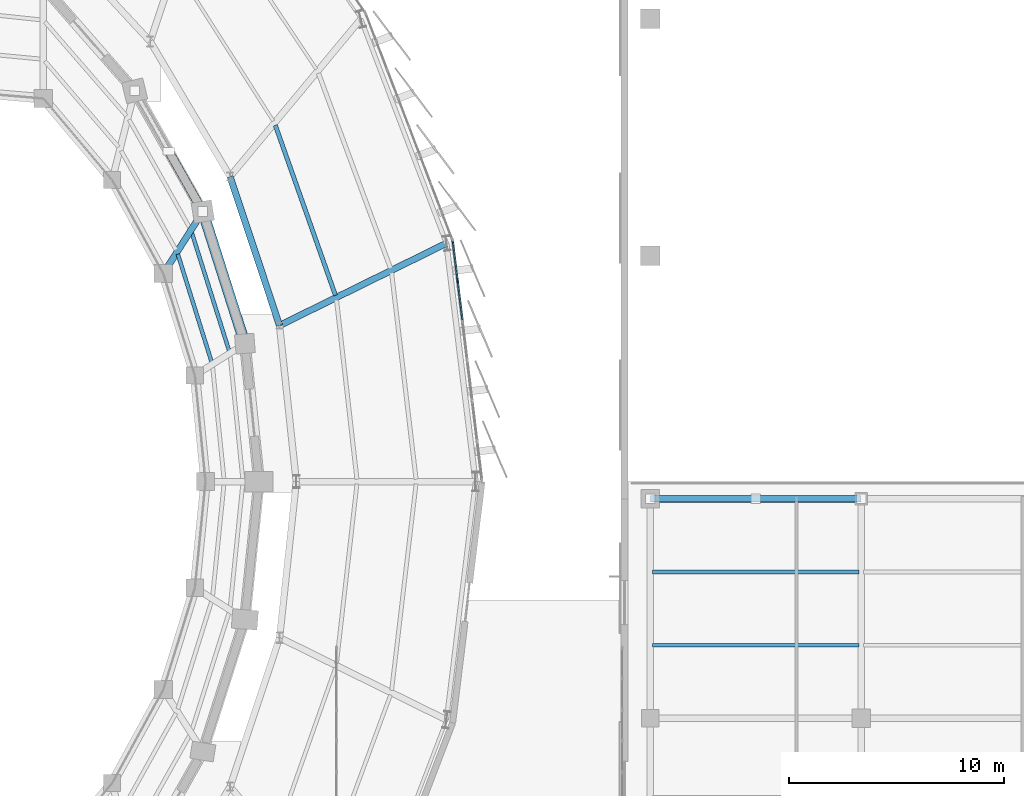
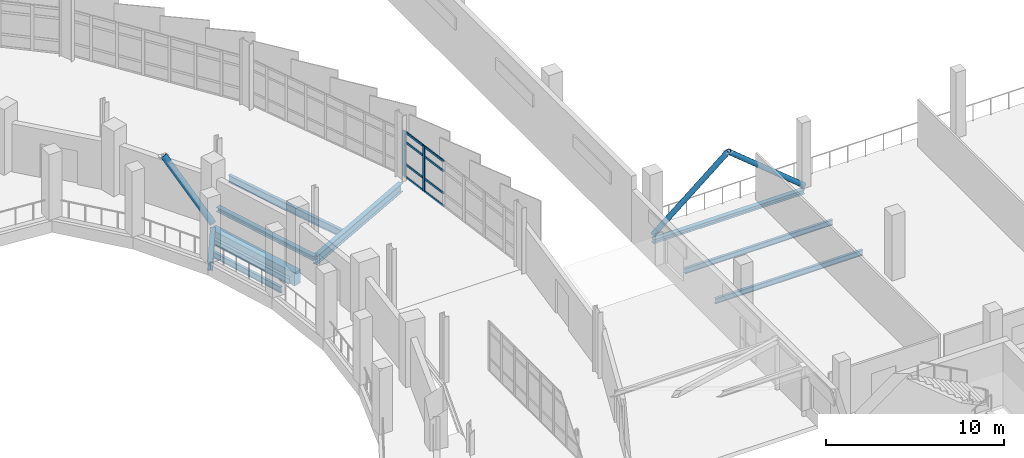
# One storey, part 72 of 125: 13 members, 10 beams, 1 element without a shape of its own.
"""IFC4 building model written with IfcOpenShell, lengths in metres."""

from ifc_helpers import new_model, si_unit, direction, frame, origin, origin_2d, place, context, subcontext, project, spatial, rectangle, hollow_circle, i_section, extrude, material, layer, layer_set, material_profile, profile_set, type_object, element, aggregate, save


model = new_model("IFC4")

# Units and contexts
model_context = context("Model", 3, precision=1e-05, world=origin(), true_north=direction((0.0, 1.0)))
body_context = subcontext(model_context, "Body", "Model", "MODEL_VIEW")
ifc_project = project(units=[si_unit("LENGTHUNIT", "METRE"), si_unit("AREAUNIT", "SQUARE_METRE"), si_unit("VOLUMEUNIT", "CUBIC_METRE"), si_unit("PLANEANGLEUNIT", "RADIAN"), si_unit("MASSUNIT", "GRAM", prefix="KILO")], contexts=[model_context])

# Site, building, storey
site_placement = place(None, origin())
site = spatial("IfcSite", under=ifc_project, at=site_placement, CompositionType="ELEMENT")
building_placement = place(site_placement, origin())
building = spatial("IfcBuilding", under=site, at=building_placement, Name="Sohan Crest Arena", CompositionType="ELEMENT")
storey_placement = place(building_placement, frame((0.0, 0.0, 9.0)))
storey = spatial("IfcBuildingStorey", under=building, at=storey_placement, Name="L02", CompositionType="ELEMENT", Elevation=9.0)

# Curtain wall, members
ifc_material_1 = material(Name="Thermally broken anodised aluminium", Category="aluminium")
ifc_layer = layer(ifc_material_1, 0.2099609375, Name="Thermally broken anodised aluminium")
ifc_layer_set = layer_set([ifc_layer], Name="Thermally broken anodised aluminium")
curtain_wall_type = type_object("IfcCurtainWallType", Name="ARC-CW06", PredefinedType="NOTDEFINED", material=ifc_layer_set)
curtain_wall_placement = place(storey_placement, origin())
curtain_wall = element("IfcCurtainWall", 1, at=curtain_wall_placement, inside=storey, type_object=curtain_wall_type, Name="Unitised curtain wall CW-069", PredefinedType="NOTDEFINED")
ifc_material_profile_1 = material_profile(ifc_material_1, rectangle(XDim=0.074951171875, YDim=0.219970703125, at=origin_2d()), Name="ALU-MULL 75x220")
ifc_profile_set_1 = profile_set([ifc_material_profile_1], Name="Thermally broken anodised aluminium")
member_type_1 = type_object("IfcMemberType", Name="ARC-CW-ML04", PredefinedType="MULLION", material=ifc_profile_set_1)
member_1_placement = place(storey_placement, frame((187.243896484375, 87.34326171875, 0.0), z_axis=(0.0, 0.0, 1.0), x_axis=(-0.992574614228, -0.121637310023, 0.0)))
member_1 = element("IfcMember", 2, at=member_1_placement, type_object=member_type_1, Name="CW-069 mullion 6", PredefinedType="MULLION", context=body_context, shape_type="SweptSolid", body=[
    extrude(rectangle(XDim=0.074951171875, YDim=0.219970703125, at=origin_2d()), origin(), (0.0, 0.0, 1.0), 3.1201171875),
])
member_2_placement = place(storey_placement, frame((187.01953125, 89.1748046875, 0.0), z_axis=(0.0, 0.0, 1.0), x_axis=(-0.992574614228, -0.121637310023, 0.0)))
member_2 = element("IfcMember", 3, at=member_2_placement, type_object=member_type_1, Name="CW-069 mullion 7", PredefinedType="MULLION", context=body_context, shape_type="SweptSolid", body=[
    extrude(rectangle(XDim=0.074951171875, YDim=0.219970703125, at=origin_2d()), origin(), (0.0, 0.0, 1.0), 3.1201171875),
])
ifc_material_profile_2 = material_profile(ifc_material_1, rectangle(XDim=0.070068359375, YDim=0.14990234375, at=origin_2d()), Name="ALU-TRAN 70x150")
ifc_profile_set_2 = profile_set([ifc_material_profile_2], Name="Thermally broken anodised aluminium")
member_type_2 = type_object("IfcMemberType", Name="ARC-CW-TR03", PredefinedType="USERDEFINED", material=ifc_profile_set_2)
member_3_placement = place(storey_placement, frame((187.468505859375, 85.511962890625, 0.034912109375), z_axis=(-0.121690549419, 0.992568088436, 0.0), x_axis=(-0.992568088436, -0.121690549419, 0.0)))
member_3 = element("IfcMember", 4, at=member_3_placement, type_object=member_type_2, Name="CW-069 transom 5.1", ObjectType="TRANSOM", PredefinedType="USERDEFINED", context=body_context, shape_type="SweptSolid", body=[
    extrude(rectangle(XDim=0.070068359375, YDim=0.14990234375, at=origin_2d()), origin(), (0.0, 0.0, 1.0), 1.8076171875),
])
member_4_placement = place(storey_placement, frame((187.468505859375, 85.511962890625, 0.89990234375), z_axis=(-0.121690549419, 0.992568088436, 0.0), x_axis=(-0.992568088436, -0.121690549419, 0.0)))
member_4 = element("IfcMember", 5, at=member_4_placement, type_object=member_type_2, Name="CW-069 transom 5.2", ObjectType="TRANSOM", PredefinedType="USERDEFINED", context=body_context, shape_type="SweptSolid", body=[
    extrude(rectangle(XDim=0.070068359375, YDim=0.14990234375, at=origin_2d()), origin(), (0.0, 0.0, 1.0), 1.8076171875),
])
member_5_placement = place(storey_placement, frame((187.468505859375, 85.511962890625, 2.419921875), z_axis=(-0.121690549419, 0.992568088436, 0.0), x_axis=(-0.992568088436, -0.121690549419, 0.0)))
member_5 = element("IfcMember", 6, at=member_5_placement, type_object=member_type_2, Name="CW-069 transom 5.3", ObjectType="TRANSOM", PredefinedType="USERDEFINED", context=body_context, shape_type="SweptSolid", body=[
    extrude(rectangle(XDim=0.070068359375, YDim=0.14990234375, at=origin_2d()), origin(), (0.0, 0.0, 1.0), 1.8076171875),
])
member_6_placement = place(storey_placement, frame((187.468505859375, 85.511962890625, 3.0849609375), z_axis=(-0.121690549419, 0.992568088436, 0.0), x_axis=(-0.992568088436, -0.121690549419, 0.0)))
member_6 = element("IfcMember", 7, at=member_6_placement, type_object=member_type_2, Name="CW-069 transom 5.4", ObjectType="TRANSOM", PredefinedType="USERDEFINED", context=body_context, shape_type="SweptSolid", body=[
    extrude(rectangle(XDim=0.070068359375, YDim=0.14990234375, at=origin_2d()), origin(), (0.0, 0.0, 1.0), 1.8076171875),
])
member_7_placement = place(storey_placement, frame((187.239501953125, 87.380615234375, 0.034912109375), z_axis=(-0.121657672136, 0.992572118695, 0.0), x_axis=(-0.992572118695, -0.121657672136, 0.0)))
member_7 = element("IfcMember", 8, at=member_7_placement, type_object=member_type_2, Name="CW-069 transom 6.1", ObjectType="TRANSOM", PredefinedType="USERDEFINED", context=body_context, shape_type="SweptSolid", body=[
    extrude(rectangle(XDim=0.070068359375, YDim=0.14990234375, at=origin_2d()), origin(), (0.0, 0.0, 1.0), 1.77001953125),
])
member_8_placement = place(storey_placement, frame((187.239501953125, 87.380615234375, 0.89990234375), z_axis=(-0.121657672136, 0.992572118695, 0.0), x_axis=(-0.992572118695, -0.121657672136, 0.0)))
member_8 = element("IfcMember", 9, at=member_8_placement, type_object=member_type_2, Name="CW-069 transom 6.2", ObjectType="TRANSOM", PredefinedType="USERDEFINED", context=body_context, shape_type="SweptSolid", body=[
    extrude(rectangle(XDim=0.070068359375, YDim=0.14990234375, at=origin_2d()), origin(), (0.0, 0.0, 1.0), 1.77001953125),
])
member_9_placement = place(storey_placement, frame((187.239501953125, 87.380615234375, 2.419921875), z_axis=(-0.121657672136, 0.992572118695, 0.0), x_axis=(-0.992572118695, -0.121657672136, 0.0)))
member_9 = element("IfcMember", 10, at=member_9_placement, type_object=member_type_2, Name="CW-069 transom 6.3", ObjectType="TRANSOM", PredefinedType="USERDEFINED", context=body_context, shape_type="SweptSolid", body=[
    extrude(rectangle(XDim=0.070068359375, YDim=0.14990234375, at=origin_2d()), origin(), (0.0, 0.0, 1.0), 1.77001953125),
])
member_10_placement = place(storey_placement, frame((187.239501953125, 87.380615234375, 3.0849609375), z_axis=(-0.121657672136, 0.992572118695, 0.0), x_axis=(-0.992572118695, -0.121657672136, 0.0)))
member_10 = element("IfcMember", 11, at=member_10_placement, type_object=member_type_2, Name="CW-069 transom 6.4", ObjectType="TRANSOM", PredefinedType="USERDEFINED", context=body_context, shape_type="SweptSolid", body=[
    extrude(rectangle(XDim=0.070068359375, YDim=0.14990234375, at=origin_2d()), origin(), (0.0, 0.0, 1.0), 1.77001953125),
])
aggregate(curtain_wall, [member_1, member_2, member_3, member_4, member_5, member_6, member_7, member_8, member_9, member_10])

# Beams
ifc_material_2 = material(Name="Steel S355", Category="steel")
ifc_material_profile_3 = material_profile(ifc_material_2, i_section(OverallWidth=0.169921875, OverallDepth=0.360107421875, WebThickness=0.008056640625, FlangeThickness=0.0126953125, at=origin_2d()), Name="IPE 360")
ifc_profile_set_3 = profile_set([ifc_material_profile_3], Name="Steel S355")
beam_type_1 = type_object("IfcBeamType", Name="STR-BM-B02", PredefinedType="JOIST", material=ifc_profile_set_3)
for number, where, z_axis, x_axis, name in (
    (12, (196.31005859375, 70.39990234375, -0.409912109375), (1.0, 0.0, 0.0), (0.0, 1.0, 0.0), "Structural beam J-L02-2333"),
    (13, (196.31005859375, 73.800048828125, -0.409912109375), (1.0, 0.0, 0.0), (0.0, 1.0, 0.0), "Structural beam J-L02-2334"),
):
    element("IfcBeam", number, at=place(storey_placement, frame(where, z_axis=z_axis, x_axis=x_axis)), inside=storey, type_object=beam_type_1, Name=name, PredefinedType="JOIST", context=body_context, shape_type="SweptSolid", body=[
        extrude(i_section(OverallWidth=0.169921875, OverallDepth=0.360107421875, WebThickness=0.008056640625, FlangeThickness=0.0126953125, at=origin_2d()), origin(), (0.0, 0.0, 1.0), 9.579833984375),
    ])
ifc_material_profile_4 = material_profile(ifc_material_2, i_section(OverallWidth=0.179931640625, OverallDepth=0.39990234375, WebThickness=0.008544921875, FlangeThickness=0.013427734375, at=origin_2d()), Name="IPE 400")
ifc_profile_set_4 = profile_set([ifc_material_profile_4], Name="Steel S355")
beam_type_2 = type_object("IfcBeamType", Name="STR-BM-B03", PredefinedType="JOIST", material=ifc_profile_set_4)
beam_1_placement = place(storey_placement, frame((175.818115234375, 83.552001953125, -0.449951171875), z_axis=(-0.298949451422, 0.954268948198, 0.0), x_axis=(-0.954268948198, -0.298949451422, 0.0)))
element("IfcBeam", 14, at=beam_1_placement, inside=storey, type_object=beam_type_2, Name="Structural beam J-L02-0604", PredefinedType="JOIST", context=body_context, shape_type="SweptSolid", body=[
    extrude(i_section(OverallWidth=0.179931640625, OverallDepth=0.39990234375, WebThickness=0.008544921875, FlangeThickness=0.013427734375, at=origin_2d()), origin(), (0.0, 0.0, 1.0), 5.255126953125),
])
beam_2_placement = place(storey_placement, frame((176.632080078125, 84.069091796875, -0.449951171875), z_axis=(-0.301440884565, 0.953484867794, 0.0), x_axis=(-0.953484867794, -0.301440884565, 0.0)))
element("IfcBeam", 15, at=beam_2_placement, inside=storey, type_object=beam_type_2, Name="Structural beam J-L02-0605", PredefinedType="JOIST", context=body_context, shape_type="SweptSolid", body=[
    extrude(i_section(OverallWidth=0.179931640625, OverallDepth=0.39990234375, WebThickness=0.008544921875, FlangeThickness=0.013427734375, at=origin_2d()), origin(), (0.0, 0.0, 1.0), 5.775390625),
])
ifc_material_profile_5 = material_profile(ifc_material_2, i_section(OverallWidth=0.199951171875, OverallDepth=0.5, WebThickness=0.01025390625, FlangeThickness=0.01611328125, at=origin_2d()), Name="IPE 500")
ifc_profile_set_5 = profile_set([ifc_material_profile_5], Name="Steel S355")
beam_type_3 = type_object("IfcBeamType", Name="STR-BM-B05", PredefinedType="JOIST", material=ifc_profile_set_5)
beam_3_placement = place(storey_placement, frame((181.571044921875, 86.654052734375, -0.5), z_axis=(-0.333403454645, 0.942784247021, 0.0), x_axis=(-0.942784247021, -0.333403454645, 0.0)))
element("IfcBeam", 16, at=beam_3_placement, inside=storey, type_object=beam_type_3, Name="Structural beam J-L02-1354", PredefinedType="JOIST", context=body_context, shape_type="SweptSolid", body=[
    extrude(i_section(OverallWidth=0.199951171875, OverallDepth=0.5, WebThickness=0.01025390625, FlangeThickness=0.01611328125, at=origin_2d()), origin(), (0.0, 0.0, 1.0), 8.3837890625),
])
ifc_material_profile_6 = material_profile(ifc_material_2, i_section(OverallWidth=0.300048828125, OverallDepth=0.2900390625, WebThickness=0.008544921875, FlangeThickness=0.013916015625, at=origin_2d()), Name="HEA 300")
ifc_profile_set_6 = profile_set([ifc_material_profile_6], Name="Steel S355")
beam_type_4 = type_object("IfcBeamType", Name="STR-BM-B08", PredefinedType="BEAM", material=ifc_profile_set_6)
beam_4_placement = place(storey_placement, frame((196.199951171875, 77.199951171875, -0.375), z_axis=(1.0, 0.0, 0.0), x_axis=(0.0, 1.0, 0.0)))
element("IfcBeam", 17, at=beam_4_placement, inside=storey, type_object=beam_type_4, Name="Structural beam G-L02-2341", PredefinedType="BEAM", context=body_context, shape_type="SweptSolid", body=[
    extrude(i_section(OverallWidth=0.300048828125, OverallDepth=0.2900390625, WebThickness=0.008544921875, FlangeThickness=0.013916015625, at=origin_2d()), origin(), (0.0, 0.0, 1.0), 9.800048828125),
])
ifc_material_profile_7 = material_profile(ifc_material_2, i_section(OverallWidth=0.300048828125, OverallDepth=0.590087890625, WebThickness=0.012939453125, FlangeThickness=0.02490234375, at=origin_2d()), Name="HEA 600")
ifc_profile_set_7 = profile_set([ifc_material_profile_7], Name="Steel S355")
beam_type_5 = type_object("IfcBeamType", Name="STR-BM-B11", PredefinedType="BEAM", material=ifc_profile_set_7)
beam_5_placement = place(storey_placement, frame((173.571044921875, 87.6640625, -0.544921875), z_axis=(0.537836706891, 0.843049035775, 0.0), x_axis=(-0.843049035775, 0.537836706891, 0.0)))
element("IfcBeam", 18, at=beam_5_placement, inside=storey, type_object=beam_type_5, Name="Structural beam G-L02-0626", PredefinedType="BEAM", context=body_context, shape_type="SweptSolid", body=[
    extrude(i_section(OverallWidth=0.300048828125, OverallDepth=0.590087890625, WebThickness=0.012939453125, FlangeThickness=0.02490234375, at=origin_2d()), origin(), (0.0, 0.0, 1.0), 3.417236328125),
])
beam_6_placement = place(storey_placement, frame((178.971923828125, 85.251953125, -0.544921875), z_axis=(0.897117109087, 0.441792816356, 0.0), x_axis=(-0.441792816356, 0.897117109087, 0.0)))
element("IfcBeam", 19, at=beam_6_placement, inside=storey, type_object=beam_type_5, Name="Structural beam G-L02-1351", PredefinedType="BEAM", context=body_context, shape_type="SweptSolid", body=[
    extrude(i_section(OverallWidth=0.300048828125, OverallDepth=0.590087890625, WebThickness=0.012939453125, FlangeThickness=0.02490234375, at=origin_2d()), origin(), (0.0, 0.0, 1.0), 8.642333984375),
])
ifc_material_profile_8 = material_profile(ifc_material_2, i_section(OverallWidth=0.300048828125, OverallDepth=0.300048828125, WebThickness=0.010986328125, FlangeThickness=0.01904296875, at=origin_2d()), Name="HEB 300")
ifc_profile_set_8 = profile_set([ifc_material_profile_8], Name="Steel S355")
beam_type_6 = type_object("IfcBeamType", Name="STR-BM-B12", PredefinedType="BEAM", material=ifc_profile_set_8)
beam_7_placement = place(storey_placement, frame((178.971923828125, 85.251953125, -0.39990234375), z_axis=(-0.315012572955, 0.949087498011, 0.0), x_axis=(-0.949087498011, -0.315012572955, 0.0)))
element("IfcBeam", 20, at=beam_7_placement, inside=storey, type_object=beam_type_6, Name="Structural beam G-L02-1352", PredefinedType="BEAM", context=body_context, shape_type="SweptSolid", body=[
    extrude(i_section(OverallWidth=0.300048828125, OverallDepth=0.300048828125, WebThickness=0.010986328125, FlangeThickness=0.01904296875, at=origin_2d()), origin(), (0.0, 0.0, 1.0), 7.29443359375),
])
ifc_material_3 = material(Name="Concrete C40/50", Category="concrete")
ifc_material_profile_9 = material_profile(ifc_material_3, rectangle(XDim=0.5, YDim=0.89990234375, at=origin_2d()), Name="RC-BM 500x900")
ifc_profile_set_9 = profile_set([ifc_material_profile_9], Name="Concrete C40/50")
beam_type_7 = type_object("IfcBeamType", Name="STR-BM-TB03", PredefinedType="BEAM", material=ifc_profile_set_9)
beam_8_placement = place(storey_placement, frame((177.363037109375, 84.406982421875, -0.699951171875), z_axis=(-0.303361657972, 0.952875492639, 0.0), x_axis=(-0.952875492639, -0.303361657972, 0.0)))
element("IfcBeam", 21, at=beam_8_placement, inside=storey, type_object=beam_type_7, Name="Structural beam TB-L02-0602", PredefinedType="BEAM", context=body_context, shape_type="SweptSolid", body=[
    extrude(rectangle(XDim=0.5, YDim=0.89990234375, at=origin_2d()), origin(), (0.0, 0.0, 1.0), 6.44140625),
])

# Members
ifc_material_profile_10 = material_profile(ifc_material_2, hollow_circle(Radius=0.161865234375, WallThickness=0.012451171875, at=origin_2d()), Name="CHS 323.9x12.5")
ifc_profile_set_10 = profile_set([ifc_material_profile_10], Name="Steel S355")
member_type_3 = type_object("IfcMemberType", Name="STR-MEM-BR03", PredefinedType="BRACE", material=ifc_profile_set_10)
member_11_placement = place(storey_placement, frame((196.199951171875, 77.199951171875, 0.0), z_axis=(0.773120832569, 0.0, 0.634258762846), x_axis=(0.0, 1.0, 0.0)))
element("IfcMember", 22, at=member_11_placement, inside=storey, type_object=member_type_3, Name="Practice hall chevron brace BR-041", PredefinedType="BRACE", context=body_context, shape_type="SweptSolid", body=[
    extrude(hollow_circle(Radius=0.161865234375, WallThickness=0.012451171875, at=origin_2d()), origin(), (0.0, 0.0, 1.0), 6.338134765625),
])
member_12_placement = place(storey_placement, frame((206.0, 77.199951171875, 0.0), z_axis=(-0.773105336173, 0.0, 0.634277651491), x_axis=(0.0, -1.0, 0.0)))
element("IfcMember", 23, at=member_12_placement, inside=storey, type_object=member_type_3, Name="Practice hall chevron brace BR-042", PredefinedType="BRACE", context=body_context, shape_type="SweptSolid", body=[
    extrude(hollow_circle(Radius=0.161865234375, WallThickness=0.012451171875, at=origin_2d()), origin(), (0.0, 0.0, 1.0), 6.337890625),
])
ifc_material_profile_11 = material_profile(ifc_material_2, hollow_circle(Radius=0.203125, WallThickness=0.01611328125, at=origin_2d()), Name="CHS 406.4x16")
ifc_profile_set_11 = profile_set([ifc_material_profile_11], Name="Steel S355")
member_type_4 = type_object("IfcMemberType", Name="STR-MEM-BR05", PredefinedType="BRACE", material=ifc_profile_set_11)
member_13_placement = place(storey_placement, frame((175.408935546875, 90.544921875, 0.0), z_axis=(-0.332804726156, 0.589748041878, 0.735824884975), x_axis=(-0.870898615033, -0.491462717134, 0.0)))
element("IfcMember", 24, at=member_13_placement, inside=storey, type_object=member_type_4, Name="Concentric lateral chevron brace BR-029", PredefinedType="BRACE", context=body_context, shape_type="SweptSolid", body=[
    extrude(hollow_circle(Radius=0.203125, WallThickness=0.01611328125, at=origin_2d()), origin(), (0.0, 0.0, 1.0), 4.756591796875),
])

save(model, "model.ifc")
